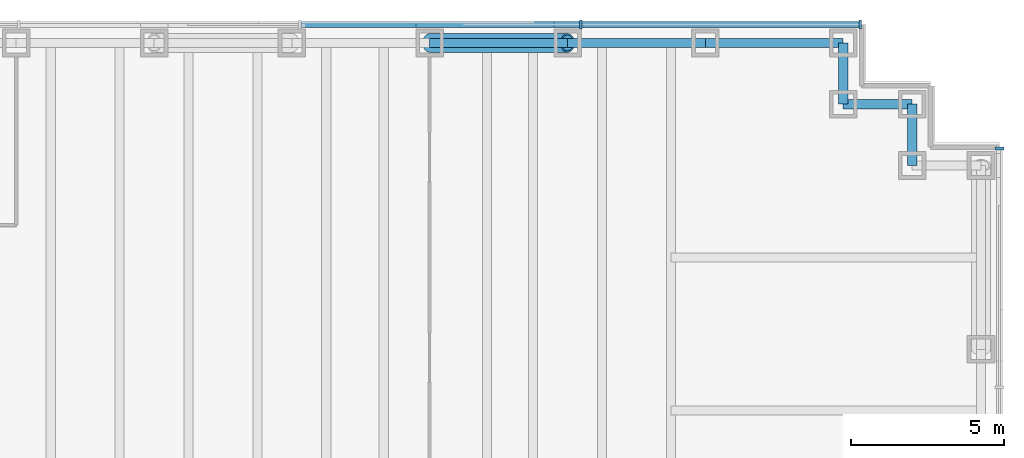
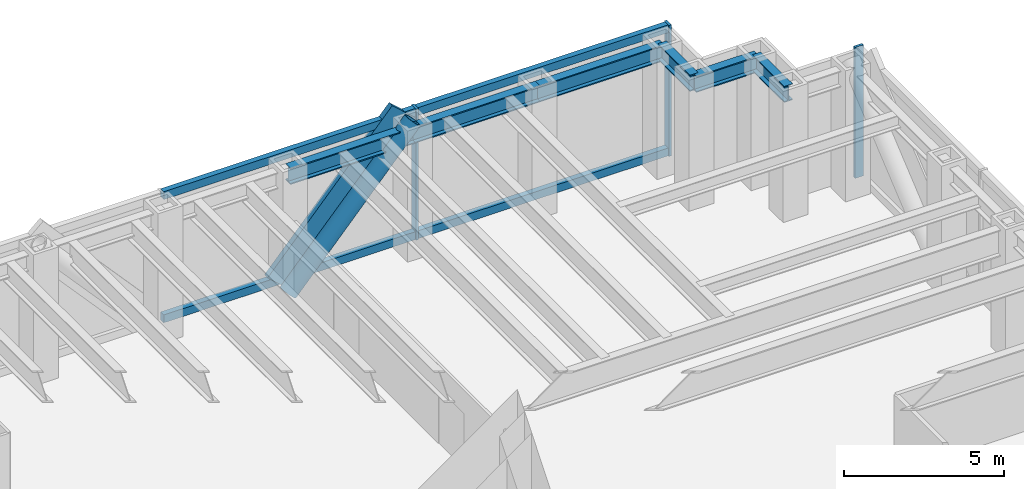
# One storey, part 10 of 17: 9 members, 6 beams, 2 elements without a shape of their own.
"""IFC4 building model written with IfcOpenShell, lengths in metres."""

from ifc_helpers import new_model, si_unit, direction, frame, origin, origin_2d, place, context, subcontext, project, spatial, rectangle, hollow_circle, i_section, extrude, material, material_profile, profile_set, type_object, element, aggregate, save


model = new_model("IFC4")

# Units and contexts
model_context = context("Model", 3, precision=1e-05, world=origin(), true_north=direction((0.0, 1.0)))
body_context = subcontext(model_context, "Body", "Model", "MODEL_VIEW")
ifc_project = project(units=[si_unit("LENGTHUNIT", "METRE"), si_unit("AREAUNIT", "SQUARE_METRE"), si_unit("VOLUMEUNIT", "CUBIC_METRE"), si_unit("PLANEANGLEUNIT", "RADIAN"), si_unit("MASSUNIT", "GRAM", prefix="KILO")], contexts=[model_context])

# Site, building, storey
site_placement = place(None, origin())
site = spatial("IfcSite", under=ifc_project, at=site_placement, CompositionType="ELEMENT")
building_placement = place(site_placement, origin())
building = spatial("IfcBuilding", under=site, at=building_placement, Name="Rheinbord Bourse Tower", CompositionType="ELEMENT")
storey_placement = place(building_placement, frame((0.0, 0.0, 18.0)))
storey = spatial("IfcBuildingStorey", under=building, at=storey_placement, Name="L03", CompositionType="ELEMENT", Elevation=18.0)

# Curtain wall, member
ifc_material_1 = material(Name="Dark glass and black aluminium", Category="aluminium")
curtain_wall_type = type_object("IfcCurtainWallType", Name="CW4 DARK GLASS CURTAIN WALL", PredefinedType="USERDEFINED", material=ifc_material_1)
curtain_wall_1_placement = place(storey_placement, origin())
curtain_wall_1 = element("IfcCurtainWall", 1, at=curtain_wall_1_placement, inside=storey, type_object=curtain_wall_type, Name="Curtain wall CW4 N L03", ObjectType="UNITISED CURTAIN WALL", PredefinedType="USERDEFINED")
ifc_material_2 = material(Name="Black anodised aluminium", Category="aluminium")
ifc_material_profile_1 = material_profile(ifc_material_2, rectangle(XDim=0.199951171875, YDim=1.2099609375, at=origin_2d()), Name="CW4 DIAGONAL MULLION 1210x200")
ifc_profile_set_1 = profile_set([ifc_material_profile_1], Name="Black anodised aluminium")
member_type_1 = type_object("IfcMemberType", Name="CW4 BLACK DIAGONAL MULLION", PredefinedType="USERDEFINED", material=ifc_profile_set_1)
member_1_placement = place(storey_placement, frame((54.0, 46.60009765625, 0.0), z_axis=(0.668964731622, 0.0, 0.743294146247), x_axis=(0.0, 1.0, 0.0)))
member_1 = element("IfcMember", 2, at=member_1_placement, type_object=member_type_1, Name="CW4 diagonal mullion c", ObjectType="DIAGONAL MULLION", PredefinedType="USERDEFINED", context=body_context, shape_type="SweptSolid", body=[
    extrude(rectangle(XDim=0.199951171875, YDim=1.2099609375, at=origin_2d()), origin(), (0.0, 0.0, 1.0), 6.726806640625),
])

curtain_wall_2_placement = place(storey_placement, origin())
curtain_wall_2 = element("IfcCurtainWall", 3, at=curtain_wall_2_placement, inside=storey, type_object=curtain_wall_type, Name="Curtain wall CW4 E L03", ObjectType="UNITISED CURTAIN WALL", PredefinedType="USERDEFINED")
ifc_material_3 = material(Name="Black anodised aluminium", Category="aluminium")
ifc_material_profile_2 = material_profile(ifc_material_3, rectangle(XDim=0.300048828125, YDim=0.090087890625, at=origin_2d()), Name="CW4 MULLION 90x300")
ifc_profile_set_2 = profile_set([ifc_material_profile_2], Name="Black anodised aluminium")
member_type_2 = type_object("IfcMemberType", Name="CW4 BLACK MULLION", PredefinedType="MULLION", material=ifc_profile_set_2)
member_2_placement = place(storey_placement, frame((72.60009765625, 42.554931640625, 0.0), z_axis=(0.0, 0.0, 1.0), x_axis=(-1.0, 0.0, 0.0)))
member_2 = element("IfcMember", 4, at=member_2_placement, type_object=member_type_2, Name="CW4 mullion 6", PredefinedType="MULLION", context=body_context, shape_type="SweptSolid", body=[
    extrude(rectangle(XDim=0.300048828125, YDim=0.090087890625, at=origin_2d()), origin(), (0.0, 0.0, 1.0), 5.0),
])
aggregate(curtain_wall_2, [member_2])

# Member
member_3_placement = place(storey_placement, frame((68.054931640625, 46.60009765625, 0.0), z_axis=(0.0, 0.0, 1.0), x_axis=(0.0, -1.0, 0.0)))
member_3 = element("IfcMember", 5, at=member_3_placement, type_object=member_type_2, Name="CW4 mullion 1", PredefinedType="MULLION", context=body_context, shape_type="SweptSolid", body=[
    extrude(rectangle(XDim=0.300048828125, YDim=0.090087890625, at=origin_2d()), origin(), (0.0, 0.0, 1.0), 5.0),
])

member_4_placement = place(storey_placement, frame((58.928466796875, 46.60009765625, 0.0), z_axis=(0.0, 0.0, 1.0), x_axis=(0.0, -1.0, 0.0)))
member_4 = element("IfcMember", 6, at=member_4_placement, type_object=member_type_2, Name="CW4 mullion 2", PredefinedType="MULLION", context=body_context, shape_type="SweptSolid", body=[
    extrude(rectangle(XDim=0.300048828125, YDim=0.090087890625, at=origin_2d()), origin(), (0.0, 0.0, 1.0), 5.0),
])

ifc_material_4 = material(Name="Black anodised aluminium", Category="aluminium")
ifc_material_profile_3 = material_profile(ifc_material_4, rectangle(XDim=0.199951171875, YDim=0.300048828125, at=origin_2d()), Name="CW4 TRANSOM 300x200")
ifc_profile_set_3 = profile_set([ifc_material_profile_3], Name="Black anodised aluminium")
member_type_3 = type_object("IfcMemberType", Name="CW4 BLACK TRANSOM", PredefinedType="USERDEFINED", material=ifc_profile_set_3)
member_5_placement = place(storey_placement, frame((68.010009765625, 46.60009765625, 0.14990234375), z_axis=(-1.0, 0.0, 0.0), x_axis=(0.0, -1.0, 0.0)))
member_5 = element("IfcMember", 7, at=member_5_placement, type_object=member_type_3, Name="CW4 transom 1.1", ObjectType="TRANSOM", PredefinedType="USERDEFINED", context=body_context, shape_type="SweptSolid", body=[
    extrude(rectangle(XDim=0.199951171875, YDim=0.300048828125, at=origin_2d()), origin(), (0.0, 0.0, 1.0), 9.036376953125),
])

member_6_placement = place(storey_placement, frame((68.010009765625, 46.60009765625, 4.85009765625), z_axis=(-1.0, 0.0, 0.0), x_axis=(0.0, -1.0, 0.0)))
member_6 = element("IfcMember", 8, at=member_6_placement, type_object=member_type_3, Name="CW4 transom 1.2", ObjectType="TRANSOM", PredefinedType="USERDEFINED", context=body_context, shape_type="SweptSolid", body=[
    extrude(rectangle(XDim=0.199951171875, YDim=0.300048828125, at=origin_2d()), origin(), (0.0, 0.0, 1.0), 9.036376953125),
])

member_7_placement = place(storey_placement, frame((58.883544921875, 46.60009765625, 0.14990234375), z_axis=(-1.0, 0.0, 0.0), x_axis=(0.0, -1.0, 0.0)))
member_7 = element("IfcMember", 9, at=member_7_placement, type_object=member_type_3, Name="CW4 transom 2.1", ObjectType="TRANSOM", PredefinedType="USERDEFINED", context=body_context, shape_type="SweptSolid", body=[
    extrude(rectangle(XDim=0.199951171875, YDim=0.300048828125, at=origin_2d()), origin(), (0.0, 0.0, 1.0), 9.081298828125),
])

member_8_placement = place(storey_placement, frame((58.883544921875, 46.60009765625, 4.85009765625), z_axis=(-1.0, 0.0, 0.0), x_axis=(0.0, -1.0, 0.0)))
member_8 = element("IfcMember", 10, at=member_8_placement, type_object=member_type_3, Name="CW4 transom 2.2", ObjectType="TRANSOM", PredefinedType="USERDEFINED", context=body_context, shape_type="SweptSolid", body=[
    extrude(rectangle(XDim=0.199951171875, YDim=0.300048828125, at=origin_2d()), origin(), (0.0, 0.0, 1.0), 9.081298828125),
])

aggregate(curtain_wall_1, [member_3, member_4, member_5, member_6, member_7, member_8, member_1])

ifc_material_5 = material(Name="Steel S460", Category="steel")
ifc_material_profile_4 = material_profile(ifc_material_5, hollow_circle(Radius=0.304931640625, WallThickness=0.050048828125, at=origin_2d()), Name="CHS 610x50")
ifc_profile_set_4 = profile_set([ifc_material_profile_4], Name="Steel S460")
member_type_4 = type_object("IfcMemberType", Name="MEGABRACE CHS 610x50", PredefinedType="BRACE", material=ifc_profile_set_4)
member_9_placement = place(storey_placement, frame((54.0, 46.0, 0.0), z_axis=(0.668964731622, 0.0, 0.743294146247), x_axis=(0.0, 1.0, 0.0)))
element("IfcMember", 11, at=member_9_placement, inside=storey, type_object=member_type_4, Name="Megabrace N face line c L03", PredefinedType="BRACE", context=body_context, shape_type="SweptSolid", body=[
    extrude(hollow_circle(Radius=0.304931640625, WallThickness=0.050048828125, at=origin_2d()), origin(), (0.0, 0.0, 1.0), 6.726806640625),
])

# Beams
ifc_material_6 = material(Name="Steel S460", Category="steel")
ifc_material_profile_5 = material_profile(ifc_material_6, i_section(OverallWidth=0.304931640625, OverallDepth=0.6201171875, WebThickness=0.02099609375, FlangeThickness=0.0400390625, at=origin_2d()), Name="HEM 600")
ifc_profile_set_5 = profile_set([ifc_material_profile_5], Name="Steel S460")
beam_type = type_object("IfcBeamType", Name="SPANDREL HEM 600", PredefinedType="SPANDREL", material=ifc_profile_set_5)
beam_1_placement = place(storey_placement, frame((69.75, 42.0, 4.510009765625), z_axis=(0.0, 1.0, 0.0), x_axis=(-1.0, 0.0, 0.0)))
element("IfcBeam", 12, at=beam_1_placement, inside=storey, type_object=beam_type, Name="Spandrel NE-B-NE-C under L04", PredefinedType="SPANDREL", context=body_context, shape_type="SweptSolid", body=[
    extrude(i_section(OverallWidth=0.304931640625, OverallDepth=0.6201171875, WebThickness=0.02099609375, FlangeThickness=0.0400390625, at=origin_2d()), origin(), (0.0, 0.0, 1.0), 2.0),
])
beam_2_placement = place(storey_placement, frame((69.75, 44.0, 4.510009765625), z_axis=(-1.0, 0.0, 0.0), x_axis=(0.0, -1.0, 0.0)))
element("IfcBeam", 13, at=beam_2_placement, inside=storey, type_object=beam_type, Name="Spandrel NE-C-NE-D under L04", PredefinedType="SPANDREL", context=body_context, shape_type="SweptSolid", body=[
    extrude(i_section(OverallWidth=0.304931640625, OverallDepth=0.6201171875, WebThickness=0.02099609375, FlangeThickness=0.0400390625, at=origin_2d()), origin(), (0.0, 0.0, 1.0), 2.25),
])
beam_3_placement = place(storey_placement, frame((67.5, 44.0, 4.510009765625), z_axis=(0.0, 1.0, 0.0), x_axis=(-1.0, 0.0, 0.0)))
element("IfcBeam", 14, at=beam_3_placement, inside=storey, type_object=beam_type, Name="Spandrel NE-D-NE-E under L04", PredefinedType="SPANDREL", context=body_context, shape_type="SweptSolid", body=[
    extrude(i_section(OverallWidth=0.304931640625, OverallDepth=0.6201171875, WebThickness=0.02099609375, FlangeThickness=0.0400390625, at=origin_2d()), origin(), (0.0, 0.0, 1.0), 2.0),
])
for number, where, z_axis, x_axis, name in (
    (15, (67.5, 46.0, 4.510009765625), (-1.0, 0.0, 0.0), (0.0, -1.0, 0.0), "Spandrel NE-E-N-63 under L04"),
    (16, (63.0, 46.0, 4.510009765625), (-1.0, 0.0, 0.0), (0.0, -1.0, 0.0), "Spandrel N-63-N-58.5 under L04"),
    (17, (58.5, 46.0, 4.510009765625), (-1.0, 0.0, 0.0), (0.0, -1.0, 0.0), "Spandrel N-58.5-N-54 under L04"),
):
    element("IfcBeam", number, at=place(storey_placement, frame(where, z_axis=z_axis, x_axis=x_axis)), inside=storey, type_object=beam_type, Name=name, PredefinedType="SPANDREL", context=body_context, shape_type="SweptSolid", body=[
        extrude(i_section(OverallWidth=0.304931640625, OverallDepth=0.6201171875, WebThickness=0.02099609375, FlangeThickness=0.0400390625, at=origin_2d()), origin(), (0.0, 0.0, 1.0), 4.5),
    ])

save(model, "model.ifc")
